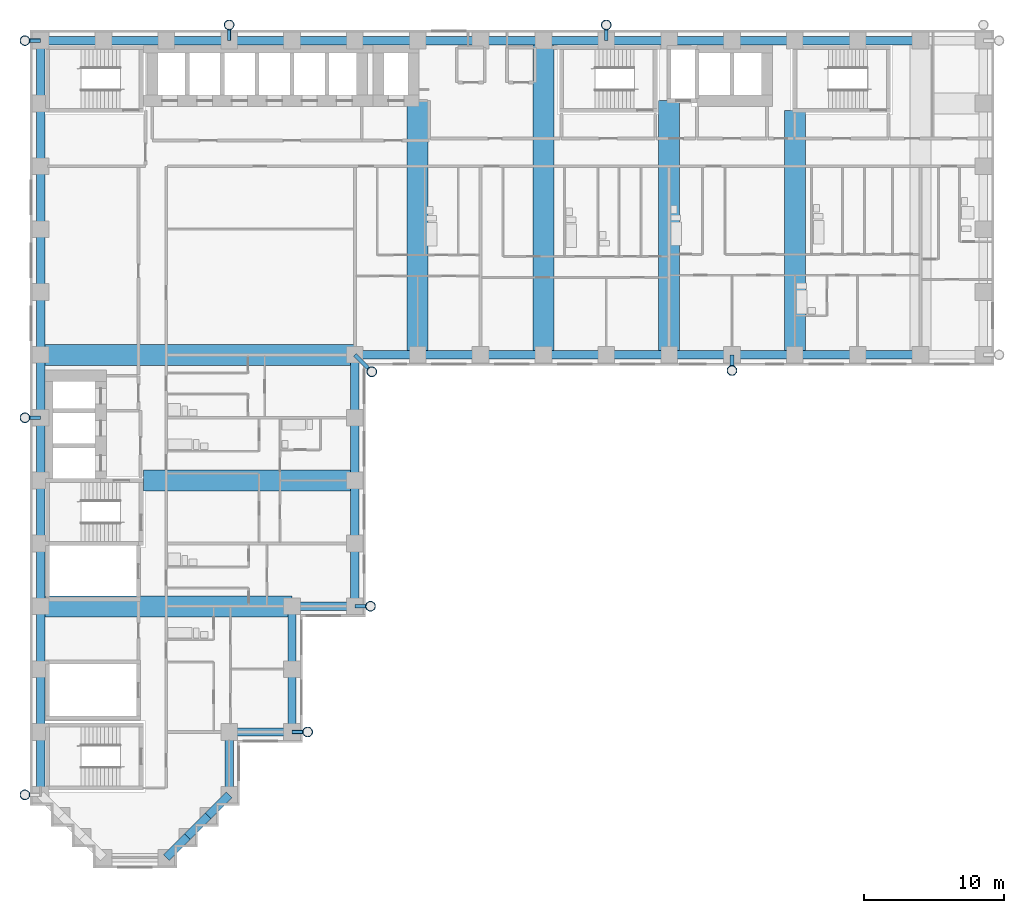
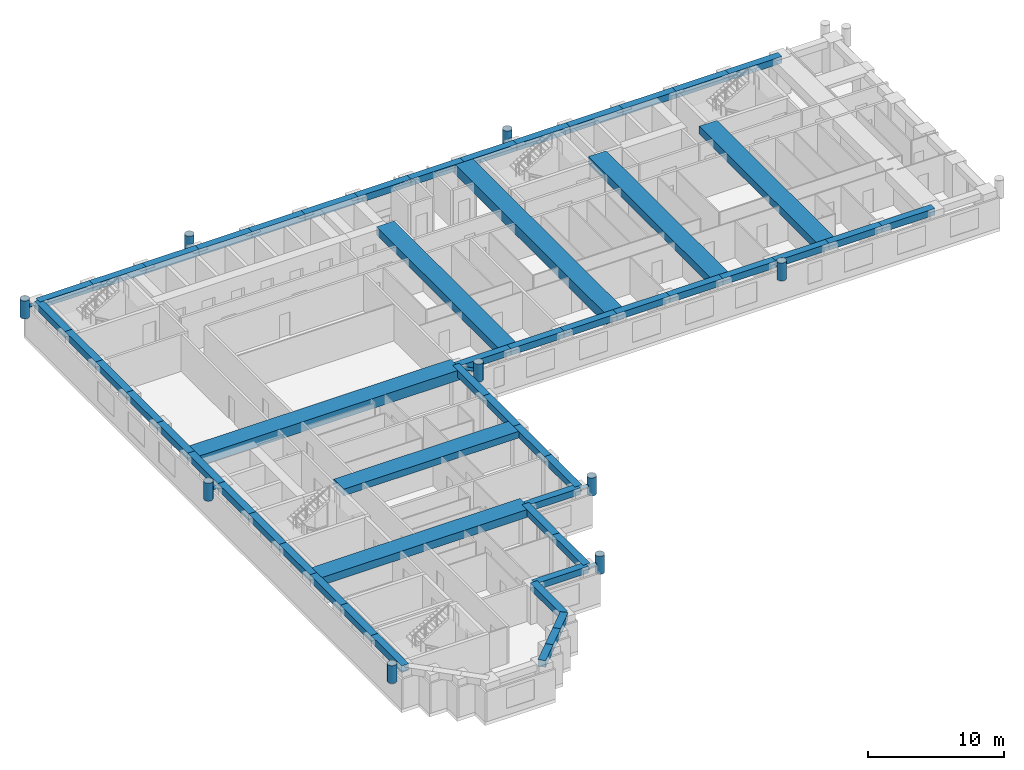
# One storey, part 2 of 14: 54 beams, 17 members.
"""IFC4 building model written with IfcOpenShell, lengths in metres."""

import ifcopenshell
import ifcopenshell.guid

model = None  # the IFC model being written
_history = None  # IfcOwnerHistory: only IFC2X3 demands one
_inside = {}  # id of a spatial element -> (the spatial element, [elements in it])
_under = {}  # id of a project, library or spatial element -> (it, [spatial elements below it])
_declared = {}  # id of a project -> (the project, [libraries it declares])
_typed = {}  # id of a type object -> (the type object, [elements of that type])
_made_of = {}  # id of a material, layer set ... -> (it, [elements and type objects made of it])


def new_model(schema):
    """Start an empty IFC model of exactly this schema.

    Asked for "IFC4X3", IfcOpenShell would pick the latest addendum, in which some entities
    have other attributes; the version numbers below select the first issue.
    IFC2X3 requires an IfcOwnerHistory on every rooted entity: one is made here for all.
    """
    global model, _history
    if schema == "IFC4X3":
        model = ifcopenshell.file(schema_version=(4, 3, 0, 0))
    else:
        model = ifcopenshell.file(schema=schema)
    _inside.clear()
    _under.clear()
    _declared.clear()
    _typed.clear()
    _made_of.clear()
    _history = None
    if model.schema == "IFC2X3":
        org = make("IfcOrganization", Name="unknown")
        user = make(
            "IfcPersonAndOrganization",
            ThePerson=make("IfcPerson", FamilyName="unknown"),
            TheOrganization=org,
        )
        app = make(
            "IfcApplication",
            ApplicationDeveloper=org,
            Version="unknown",
            ApplicationFullName="unknown",
            ApplicationIdentifier="unknown",
        )
        _history = make(
            "IfcOwnerHistory",
            OwningUser=user,
            OwningApplication=app,
            ChangeAction="ADDED",
            CreationDate=0,
        )
    return model


def make(cls, **values):
    """One entity of the class cls with the attributes given. An attribute that is None is left unset."""
    return model.create_entity(
        cls, **{name: value for name, value in values.items() if value is not None}
    )


def rooted(cls, **values):
    """An entity with a GlobalId (a new one), such as an element, a storey or a relation."""
    return make(cls, GlobalId=ifcopenshell.guid.new(), OwnerHistory=_history, **values)


def si_unit(unit_type, name, prefix=None):
    """IfcSIUnit, for example si_unit("LENGTHUNIT", "METRE", prefix="MILLI")."""
    return make("IfcSIUnit", UnitType=unit_type, Prefix=prefix, Name=name)


def assignment(units):
    """IfcUnitAssignment: the units of a project."""
    return None if units is None else make("IfcUnitAssignment", Units=units)


def point(xyz):
    """IfcCartesianPoint."""
    return None if xyz is None else make("IfcCartesianPoint", Coordinates=xyz)


def direction(xyz):
    """IfcDirection."""
    return None if xyz is None else make("IfcDirection", DirectionRatios=xyz)


def frame(location, z_axis=None, x_axis=None):
    """IfcAxis2Placement3D, a coordinate frame: its origin and axes. An axis left out is left unset."""
    return make(
        "IfcAxis2Placement3D",
        Location=point(location),
        Axis=direction(z_axis),
        RefDirection=direction(x_axis),
    )


def frame_2d(location, x_axis=None):
    """IfcAxis2Placement2D, a coordinate frame in the plane: its origin and x axis."""
    return make(
        "IfcAxis2Placement2D", Location=point(location), RefDirection=direction(x_axis)
    )


def origin():
    """The frame at (0, 0, 0) with its axes left unset."""
    return frame((0.0, 0.0, 0.0))


def origin_2d():
    """The frame at (0, 0) in the plane with its x axis left unset."""
    return frame_2d((0.0, 0.0))


def place(relative_to, where):
    """IfcLocalPlacement: puts the frame where relative to a parent placement (None: the world)."""
    return make(
        "IfcLocalPlacement", PlacementRelTo=relative_to, RelativePlacement=where
    )


def context(
    kind, dimensions, precision=None, world=None, true_north=None, identifier=None
):
    """IfcGeometricRepresentationContext, for example the 3D "Model" context."""
    return make(
        "IfcGeometricRepresentationContext",
        ContextIdentifier=identifier,
        ContextType=kind,
        CoordinateSpaceDimension=dimensions,
        Precision=precision,
        WorldCoordinateSystem=world,
        TrueNorth=true_north,
    )


def subcontext(parent, identifier, kind, view, scale=None):
    """IfcGeometricRepresentationSubContext, for example "Body" below "Model"."""
    return make(
        "IfcGeometricRepresentationSubContext",
        ContextIdentifier=identifier,
        ContextType=kind,
        ParentContext=parent,
        TargetScale=scale,
        TargetView=view,
    )


def project(units=None, contexts=None):
    """IfcProject with its units and contexts."""
    return rooted(
        "IfcProject",
        Name="project",
        RepresentationContexts=contexts,
        UnitsInContext=assignment(units),
    )


def spatial(cls, under=None, at=None, **own):
    """A site, building, storey or space (cls), placed at a placement, below another one or the project."""
    s = rooted(cls, ObjectPlacement=at, **own)
    if under is not None:
        _under.setdefault(under.id(), (under, []))[1].append(s)
    return s


def profile(cls, at=None, kind="AREA", **sizes):
    """A parametric profile (cls). Its sizes go by their IFC names, for example OverallWidth=200.0."""
    return make(cls, ProfileType=kind, Position=at, **sizes)


def rectangle(**sizes):
    """IfcRectangleProfileDef."""
    return profile("IfcRectangleProfileDef", **sizes)


def hollow_circle(**sizes):
    """IfcCircleHollowProfileDef."""
    return profile("IfcCircleHollowProfileDef", **sizes)


def extrude(swept, where, along, depth):
    """IfcExtrudedAreaSolid: the profile swept, set in the frame where, extruded along a direction by depth."""
    return make(
        "IfcExtrudedAreaSolid",
        SweptArea=swept,
        Position=where,
        ExtrudedDirection=direction(along),
        Depth=depth,
    )


def shape(context_of_items, identifier, shape_type, items):
    """IfcShapeRepresentation: the items that make up one representation, for example the "Body"."""
    return make(
        "IfcShapeRepresentation",
        ContextOfItems=context_of_items,
        RepresentationIdentifier=identifier,
        RepresentationType=shape_type,
        Items=items,
    )


def material(Name=None, Category=None):
    """IfcMaterial."""
    return make("IfcMaterial", Name=Name, Category=Category)


def material_profile(
    of_material, cross_section, Name=None, Category=None, Priority=None
):
    """IfcMaterialProfile: a cross section and its material."""
    return make(
        "IfcMaterialProfile",
        Name=Name,
        Material=of_material,
        Profile=cross_section,
        Priority=Priority,
        Category=Category,
    )


def profile_set(profiles, Name=None, composite=None):
    """IfcMaterialProfileSet."""
    return make(
        "IfcMaterialProfileSet",
        Name=Name,
        MaterialProfiles=profiles,
        CompositeProfile=composite,
    )


def made_of(thing, what):
    """Note that an element or type object is made of a material, layer set ...; save() writes the relation."""
    if what is not None:
        _made_of.setdefault(what.id(), (what, []))[1].append(thing)
    return thing


def type_object(cls, material=None, **own):
    """A type object (cls), such as IfcWallType, which elements share."""
    return made_of(rooted(cls, **own), material)


def element(
    cls,
    number,
    at=None,
    inside=None,
    cuts=None,
    type_object=None,
    material=None,
    context=None,
    identifier="Body",
    shape_type=None,
    held_by="IfcProductDefinitionShape",
    body=None,
    shapes=None,
    **own,
):
    """One element of the class cls, such as IfcWall. Its Tag is "e" and its number.

    at: its placement. inside: the storey or other place that contains it. cuts: it is an
    opening in that element (IfcRelVoidsElement). A single representation is given by context,
    identifier, shape_type and body (its items); several are given by shapes. held_by: the class
    of the entity that holds the representations. save() writes the other relations.
    """
    e = rooted(cls, Tag="e%d" % number, ObjectPlacement=at, **own)
    if body is not None:
        shapes = [shape(context, identifier, shape_type, body)]
    if shapes is not None:
        e.Representation = make(held_by, Representations=shapes)
    if inside is not None:
        _inside.setdefault(inside.id(), (inside, []))[1].append(e)
    if cuts is not None:
        rooted(
            "IfcRelVoidsElement", RelatingBuildingElement=cuts, RelatedOpeningElement=e
        )
    if type_object is not None:
        _typed.setdefault(type_object.id(), (type_object, []))[1].append(e)
    return made_of(e, material)


def aggregate(whole, parts):
    """IfcRelAggregates: a whole, such as a stair, and the parts it consists of."""
    return rooted("IfcRelAggregates", RelatingObject=whole, RelatedObjects=parts)


def save(model, path):
    """Write the relations noted so far, then the file.

    IfcRelAggregates (storeys below a building ...), IfcRelContainedInSpatialStructure (elements
    in a storey), IfcRelDefinesByType, IfcRelAssociatesMaterial and IfcRelDeclares: one each for
    every whole, place, type object, material and project.
    """
    for whole, parts in _under.values():
        aggregate(whole, parts)
    for where, things in _inside.values():
        rooted(
            "IfcRelContainedInSpatialStructure",
            RelatedElements=things,
            RelatingStructure=where,
        )
    for kind, things in _typed.values():
        rooted("IfcRelDefinesByType", RelatedObjects=things, RelatingType=kind)
    for what, things in _made_of.values():
        rooted("IfcRelAssociatesMaterial", RelatedObjects=things, RelatingMaterial=what)
    for by, libraries in _declared.values():
        rooted("IfcRelDeclares", RelatingContext=by, RelatedDefinitions=libraries)
    model.write(path)


model = new_model("IFC4")

# Units and contexts
model_context = context("Model", 3, precision=1e-05, world=origin(), true_north=direction((0.0, 1.0)))
body_context = subcontext(model_context, "Body", "Model", "MODEL_VIEW")
ifc_project = project(units=[si_unit("LENGTHUNIT", "METRE"), si_unit("AREAUNIT", "SQUARE_METRE"), si_unit("VOLUMEUNIT", "CUBIC_METRE"), si_unit("PLANEANGLEUNIT", "RADIAN"), si_unit("MASSUNIT", "GRAM", prefix="KILO")], contexts=[model_context])

# Site, building, storey
site_placement = place(None, origin())
site = spatial("IfcSite", under=ifc_project, at=site_placement, CompositionType="ELEMENT")
building_placement = place(site_placement, origin())
building = spatial("IfcBuilding", under=site, at=building_placement, Name="Firuza Court", CompositionType="ELEMENT")
storey_placement = place(building_placement, frame((0.0, 0.0, 90.199951171875)))
storey = spatial("IfcBuildingStorey", under=building, at=storey_placement, Name="L22", CompositionType="ELEMENT", Elevation=90.199951171875)

# Beams
ifc_material_1 = material(Name="Concrete C40/50", Category="concrete")
ifc_material_profile_1 = material_profile(ifc_material_1, rectangle(XDim=1.5, YDim=0.60009765625, at=origin_2d()), Name="RC 1500x600")
ifc_profile_set_1 = profile_set([ifc_material_profile_1], Name="Concrete C40/50")
beam_type_1 = type_object("IfcBeamType", Name="Band beam RC 1500x600 C40/50", PredefinedType="BEAM", material=ifc_profile_set_1)
beam_1_placement = place(storey_placement, frame((22.5, 27.0, 3.0), z_axis=(-1.0, 0.0, 0.0), x_axis=(0.0, -1.0, 0.0)))
element("IfcBeam", 1, at=beam_1_placement, inside=storey, type_object=beam_type_1, Name="Band beam FB3 level L23", PredefinedType="BEAM", context=body_context, shape_type="SweptSolid", body=[
    extrude(rectangle(XDim=1.5, YDim=0.60009765625, at=origin_2d()), origin(), (0.0, 0.0, 1.0), 15.14990234375),
])
ifc_material_2 = material(Name="Concrete C40/50", Category="concrete")
ifc_material_profile_2 = material_profile(ifc_material_2, rectangle(XDim=1.5, YDim=0.699951171875, at=origin_2d()), Name="RC 1500x700")
ifc_profile_set_2 = profile_set([ifc_material_profile_2], Name="Concrete C40/50")
beam_type_2 = type_object("IfcBeamType", Name="Band beam RC 1500x700 C40/50", PredefinedType="BEAM", material=ifc_profile_set_2)
beam_2_placement = place(storey_placement, frame((0.0, 18.0, 2.949951171875), z_axis=(1.0, 0.0, 0.0), x_axis=(0.0, 1.0, 0.0)))
element("IfcBeam", 2, at=beam_2_placement, inside=storey, type_object=beam_type_2, Name="Band beam FB1 level L23", PredefinedType="BEAM", context=body_context, shape_type="SweptSolid", body=[
    extrude(rectangle(XDim=1.5, YDim=0.699951171875, at=origin_2d()), origin(), (0.0, 0.0, 1.0), 18.0),
])
for number, where, z_axis, x_axis, name in (
    (3, (27.0, 36.0, 2.949951171875), (0.0, 1.0, 0.0), (-1.0, 0.0, 0.0), "Band beam FB1 level L23"),
    (4, (45.0, 36.0, 2.949951171875), (0.0, 1.0, 0.0), (-1.0, 0.0, 0.0), "Band beam FB1 level L23"),
):
    element("IfcBeam", number, at=place(storey_placement, frame(where, z_axis=z_axis, x_axis=x_axis)), inside=storey, type_object=beam_type_2, Name=name, PredefinedType="BEAM", context=body_context, shape_type="SweptSolid", body=[
        extrude(rectangle(XDim=1.5, YDim=0.699951171875, at=origin_2d()), origin(), (0.0, 0.0, 1.0), 18.199951171875),
    ])
beam_3_placement = place(storey_placement, frame((54.0, 36.0, 2.949951171875), z_axis=(0.0, 1.0, 0.0), x_axis=(-1.0, 0.0, 0.0)))
element("IfcBeam", 5, at=beam_3_placement, inside=storey, type_object=beam_type_2, Name="Band beam FB1 level L23", PredefinedType="BEAM", context=body_context, shape_type="SweptSolid", body=[
    extrude(rectangle(XDim=1.5, YDim=0.699951171875, at=origin_2d()), origin(), (0.0, 0.0, 1.0), 17.5),
])
ifc_material_3 = material(Name="Concrete C40/50", Category="concrete")
ifc_material_profile_3 = material_profile(ifc_material_3, rectangle(XDim=1.5, YDim=0.89990234375, at=origin_2d()), Name="RC 1500x900")
ifc_profile_set_3 = profile_set([ifc_material_profile_3], Name="Concrete C40/50")
beam_type_3 = type_object("IfcBeamType", Name="Band beam RC 1500x900 C40/50", PredefinedType="BEAM", material=ifc_profile_set_3)
for number, where, z_axis, x_axis, name in (
    (6, (0.0, 36.0, 2.85009765625), (1.0, 0.0, 0.0), (0.0, 1.0, 0.0), "Band beam FB2 level L23"),
    (7, (36.0, 36.0, 2.85009765625), (0.0, 1.0, 0.0), (-1.0, 0.0, 0.0), "Band beam FB2 level L23"),
):
    element("IfcBeam", number, at=place(storey_placement, frame(where, z_axis=z_axis, x_axis=x_axis)), inside=storey, type_object=beam_type_3, Name=name, PredefinedType="BEAM", context=body_context, shape_type="SweptSolid", body=[
        extrude(rectangle(XDim=1.5, YDim=0.89990234375, at=origin_2d()), origin(), (0.0, 0.0, 1.0), 22.5),
    ])

# Members
ifc_material_4 = material(Name="Steel S355", Category="steel")
ifc_material_profile_4 = material_profile(ifc_material_4, hollow_circle(Radius=0.35546875, WallThickness=0.030029296875, at=origin_2d()), Name="CHS 711x30")
ifc_profile_set_4 = profile_set([ifc_material_profile_4], Name="Steel S355")
member_type_1 = type_object("IfcMemberType", Name="Diagrid node CHS 711x30 S355", PredefinedType="USERDEFINED", material=ifc_profile_set_4)
for number, where, z_axis, x_axis, name in (
    (8, (-1.1201171875, 4.5, 2.25), (0.0, 0.0, 1.0), (1.0, 0.0, 0.0), "Diagrid node level L22"),
    (9, (-1.1201171875, 31.5, 2.25), (0.0, 0.0, 1.0), (1.0, 0.0, 0.0), "Diagrid node level L22"),
    (10, (-1.1201171875, 58.5, 2.25), (0.0, 0.0, 1.0), (1.0, 0.0, 0.0), "Diagrid node level L22"),
    (11, (13.5, 59.6201171875, 2.25), (0.0, 0.0, 1.0), (1.0, 0.0, 0.0), "Diagrid node level L22"),
    (12, (19.1201171875, 9.0, 2.25), (0.0, 0.0, 1.0), (1.0, 0.0, 0.0), "Diagrid node level L22"),
    (13, (23.6201171875, 18.0, 2.25), (0.0, 0.0, 1.0), (1.0, 0.0, 0.0), "Diagrid node level L22"),
    (14, (23.7099609375, 34.7900390625, 2.25), (0.0, 0.0, 1.0), (1.0, 0.0, 0.0), "Diagrid node level L22"),
    (15, (40.5, 59.6201171875, 2.25), (0.0, 0.0, 1.0), (1.0, 0.0, 0.0), "Diagrid node level L22"),
    (16, (49.5, 34.8798828125, 2.25), (0.0, 0.0, 1.0), (1.0, 0.0, 0.0), "Diagrid node level L22"),
):
    element("IfcMember", number, at=place(storey_placement, frame(where, z_axis=z_axis, x_axis=x_axis)), inside=storey, type_object=member_type_1, Name=name, ObjectType="DIAGRID NODE", PredefinedType="USERDEFINED", context=body_context, shape_type="SweptSolid", body=[
        extrude(hollow_circle(Radius=0.35546875, WallThickness=0.030029296875, at=origin_2d()), origin(), (0.0, 0.0, 1.0), 1.60009765625),
    ])
ifc_material_5 = material(Name="Steel S355", Category="steel")
ifc_material_profile_5 = material_profile(ifc_material_5, hollow_circle(Radius=0.136474609375, WallThickness=0.012451171875, at=origin_2d()), Name="CHS 273x12.5")
ifc_profile_set_5 = profile_set([ifc_material_profile_5], Name="Steel S355")
member_type_2 = type_object("IfcMemberType", Name="Diagrid tie CHS 273x12.5 S355", PredefinedType="STRUT", material=ifc_profile_set_5)
for number, where, z_axis, x_axis, name in (
    (17, (0.0, 31.5, 3.050048828125), (-1.0, 0.0, 0.0), (0.0, -1.0, 0.0), "Diagrid tie level L23"),
    (18, (0.0, 58.5, 3.050048828125), (-1.0, 0.0, 0.0), (0.0, -1.0, 0.0), "Diagrid tie level L23"),
    (19, (13.5, 58.5, 3.050048828125), (0.0, 1.0, 0.0), (-1.0, 0.0, 0.0), "Diagrid tie level L23"),
    (20, (18.0, 9.0, 3.050048828125), (1.0, 0.0, 0.0), (0.0, 1.0, 0.0), "Diagrid tie level L23"),
    (21, (22.5, 18.0, 3.050048828125), (1.0, 0.0, 0.0), (0.0, 1.0, 0.0), "Diagrid tie level L23"),
):
    element("IfcMember", number, at=place(storey_placement, frame(where, z_axis=z_axis, x_axis=x_axis)), inside=storey, type_object=member_type_2, Name=name, PredefinedType="STRUT", context=body_context, shape_type="SweptSolid", body=[
        extrude(hollow_circle(Radius=0.136474609375, WallThickness=0.012451171875, at=origin_2d()), origin(), (0.0, 0.0, 1.0), 1.1201171875),
    ])
member_placement = place(storey_placement, frame((22.5, 36.0, 3.050048828125), z_axis=(0.707106781187, -0.707106781187, 0.0), x_axis=(0.707106781187, 0.707106781187, 0.0)))
element("IfcMember", 22, at=member_placement, inside=storey, type_object=member_type_2, Name="Diagrid tie level L23", PredefinedType="STRUT", context=body_context, shape_type="SweptSolid", body=[
    extrude(hollow_circle(Radius=0.136474609375, WallThickness=0.012451171875, at=origin_2d()), origin(), (0.0, 0.0, 1.0), 1.711181640625),
])
for number, where, z_axis, x_axis, name in (
    (23, (40.5, 58.5, 3.050048828125), (0.0, 1.0, 0.0), (-1.0, 0.0, 0.0), "Diagrid tie level L23"),
    (24, (49.5, 36.0, 3.050048828125), (0.0, -1.0, 0.0), (1.0, 0.0, 0.0), "Diagrid tie level L23"),
):
    element("IfcMember", number, at=place(storey_placement, frame(where, z_axis=z_axis, x_axis=x_axis)), inside=storey, type_object=member_type_2, Name=name, PredefinedType="STRUT", context=body_context, shape_type="SweptSolid", body=[
        extrude(hollow_circle(Radius=0.136474609375, WallThickness=0.012451171875, at=origin_2d()), origin(), (0.0, 0.0, 1.0), 1.1201171875),
    ])

# Beams
ifc_material_6 = material(Name="Concrete C40/50", Category="concrete")
ifc_material_profile_6 = material_profile(ifc_material_6, rectangle(XDim=0.60009765625, YDim=0.60009765625, at=origin_2d()), Name="RC 600x600")
ifc_profile_set_6 = profile_set([ifc_material_profile_6], Name="Concrete C40/50")
beam_type_4 = type_object("IfcBeamType", Name="Spandrel beam RC 600x600 C40/50", PredefinedType="BEAM", material=ifc_profile_set_6)
for number, where, z_axis, x_axis, name in (
    (25, (0.0, 9.0, 3.0), (0.0, -1.0, 0.0), (1.0, 0.0, 0.0), "Spandrel beam SP11 level L23"),
    (26, (0.0, 13.5, 3.0), (0.0, -1.0, 0.0), (1.0, 0.0, 0.0), "Spandrel beam SP11 level L23"),
    (27, (0.0, 18.0, 3.0), (0.0, -1.0, 0.0), (1.0, 0.0, 0.0), "Spandrel beam SP11 level L23"),
    (28, (0.0, 22.5, 3.0), (0.0, -1.0, 0.0), (1.0, 0.0, 0.0), "Spandrel beam SP11 level L23"),
    (29, (0.0, 27.0, 3.0), (0.0, -1.0, 0.0), (1.0, 0.0, 0.0), "Spandrel beam SP11 level L23"),
    (30, (0.0, 31.5, 3.0), (0.0, -1.0, 0.0), (1.0, 0.0, 0.0), "Spandrel beam SP11 level L23"),
    (31, (0.0, 36.0, 3.0), (0.0, -1.0, 0.0), (1.0, 0.0, 0.0), "Spandrel beam SP11 level L23"),
    (32, (0.0, 40.5, 3.0), (0.0, -1.0, 0.0), (1.0, 0.0, 0.0), "Spandrel beam SP11 level L23"),
    (33, (0.0, 45.0, 3.0), (0.0, -1.0, 0.0), (1.0, 0.0, 0.0), "Spandrel beam SP11 level L23"),
    (34, (0.0, 49.5, 3.0), (0.0, -1.0, 0.0), (1.0, 0.0, 0.0), "Spandrel beam SP11 level L23"),
    (35, (0.0, 54.0, 3.0), (0.0, -1.0, 0.0), (1.0, 0.0, 0.0), "Spandrel beam SP11 level L23"),
    (36, (0.0, 58.5, 3.0), (0.0, -1.0, 0.0), (1.0, 0.0, 0.0), "Spandrel beam SP11 level L23"),
    (37, (4.5, 58.5, 3.0), (-1.0, 0.0, 0.0), (0.0, -1.0, 0.0), "Spandrel beam SP11 level L23"),
):
    element("IfcBeam", number, at=place(storey_placement, frame(where, z_axis=z_axis, x_axis=x_axis)), inside=storey, type_object=beam_type_4, Name=name, PredefinedType="BEAM", context=body_context, shape_type="SweptSolid", body=[
        extrude(rectangle(XDim=0.60009765625, YDim=0.60009765625, at=origin_2d()), origin(), (0.0, 0.0, 1.0), 4.5),
    ])
beam_4_placement = place(storey_placement, frame((9.0, 0.0, 3.0), z_axis=(0.707106781187, 0.707106781187, 0.0), x_axis=(-0.707106781187, 0.707106781187, 0.0)))
element("IfcBeam", 38, at=beam_4_placement, inside=storey, type_object=beam_type_4, Name="Spandrel beam SP11 level L23", PredefinedType="BEAM", context=body_context, shape_type="SweptSolid", body=[
    extrude(rectangle(XDim=0.60009765625, YDim=0.60009765625, at=origin_2d()), origin(), (0.0, 0.0, 1.0), 2.121337890625),
])
beam_5_placement = place(storey_placement, frame((9.0, 58.5, 3.0), z_axis=(-1.0, 0.0, 0.0), x_axis=(0.0, -1.0, 0.0)))
element("IfcBeam", 39, at=beam_5_placement, inside=storey, type_object=beam_type_4, Name="Spandrel beam SP11 level L23", PredefinedType="BEAM", context=body_context, shape_type="SweptSolid", body=[
    extrude(rectangle(XDim=0.60009765625, YDim=0.60009765625, at=origin_2d()), origin(), (0.0, 0.0, 1.0), 4.5),
])
for number, where, z_axis, x_axis, name in (
    (40, (10.5, 1.5, 3.0), (0.707106781187, 0.707106781187, 0.0), (-0.707106781187, 0.707106781187, 0.0), "Spandrel beam SP11 level L23"),
    (41, (12.0, 3.0, 3.0), (0.707106781187, 0.707106781187, 0.0), (-0.707106781187, 0.707106781187, 0.0), "Spandrel beam SP11 level L23"),
):
    element("IfcBeam", number, at=place(storey_placement, frame(where, z_axis=z_axis, x_axis=x_axis)), inside=storey, type_object=beam_type_4, Name=name, PredefinedType="BEAM", context=body_context, shape_type="SweptSolid", body=[
        extrude(rectangle(XDim=0.60009765625, YDim=0.60009765625, at=origin_2d()), origin(), (0.0, 0.0, 1.0), 2.121337890625),
    ])
for number, where, z_axis, x_axis, name in (
    (42, (13.5, 4.5, 3.0), (0.0, 1.0, 0.0), (-1.0, 0.0, 0.0), "Spandrel beam SP11 level L23"),
    (43, (13.5, 9.0, 3.0), (1.0, 0.0, 0.0), (0.0, 1.0, 0.0), "Spandrel beam SP11 level L23"),
    (44, (13.5, 58.5, 3.0), (-1.0, 0.0, 0.0), (0.0, -1.0, 0.0), "Spandrel beam SP11 level L23"),
    (45, (18.0, 9.0, 3.0), (0.0, 1.0, 0.0), (-1.0, 0.0, 0.0), "Spandrel beam SP11 level L23"),
    (46, (18.0, 13.5, 3.0), (0.0, 1.0, 0.0), (-1.0, 0.0, 0.0), "Spandrel beam SP11 level L23"),
    (47, (18.0, 18.0, 3.0), (1.0, 0.0, 0.0), (0.0, 1.0, 0.0), "Spandrel beam SP11 level L23"),
    (48, (18.0, 58.5, 3.0), (-1.0, 0.0, 0.0), (0.0, -1.0, 0.0), "Spandrel beam SP11 level L23"),
    (49, (22.5, 18.0, 3.0), (0.0, 1.0, 0.0), (-1.0, 0.0, 0.0), "Spandrel beam SP11 level L23"),
    (50, (22.5, 22.5, 3.0), (0.0, 1.0, 0.0), (-1.0, 0.0, 0.0), "Spandrel beam SP11 level L23"),
    (51, (22.5, 27.0, 3.0), (0.0, 1.0, 0.0), (-1.0, 0.0, 0.0), "Spandrel beam SP11 level L23"),
    (52, (22.5, 31.5, 3.0), (0.0, 1.0, 0.0), (-1.0, 0.0, 0.0), "Spandrel beam SP11 level L23"),
    (53, (22.5, 36.0, 3.0), (1.0, 0.0, 0.0), (0.0, 1.0, 0.0), "Spandrel beam SP11 level L23"),
    (54, (22.5, 58.5, 3.0), (-1.0, 0.0, 0.0), (0.0, -1.0, 0.0), "Spandrel beam SP11 level L23"),
    (55, (27.0, 36.0, 3.0), (1.0, 0.0, 0.0), (0.0, 1.0, 0.0), "Spandrel beam SP11 level L23"),
    (56, (27.0, 58.5, 3.0), (-1.0, 0.0, 0.0), (0.0, -1.0, 0.0), "Spandrel beam SP11 level L23"),
    (57, (31.5, 36.0, 3.0), (1.0, 0.0, 0.0), (0.0, 1.0, 0.0), "Spandrel beam SP11 level L23"),
    (58, (31.5, 58.5, 3.0), (-1.0, 0.0, 0.0), (0.0, -1.0, 0.0), "Spandrel beam SP11 level L23"),
    (59, (36.0, 36.0, 3.0), (1.0, 0.0, 0.0), (0.0, 1.0, 0.0), "Spandrel beam SP11 level L23"),
    (60, (36.0, 58.5, 3.0), (-1.0, 0.0, 0.0), (0.0, -1.0, 0.0), "Spandrel beam SP11 level L23"),
    (61, (40.5, 36.0, 3.0), (1.0, 0.0, 0.0), (0.0, 1.0, 0.0), "Spandrel beam SP11 level L23"),
    (62, (40.5, 58.5, 3.0), (-1.0, 0.0, 0.0), (0.0, -1.0, 0.0), "Spandrel beam SP11 level L23"),
    (63, (45.0, 36.0, 3.0), (1.0, 0.0, 0.0), (0.0, 1.0, 0.0), "Spandrel beam SP11 level L23"),
    (64, (45.0, 58.5, 3.0), (-1.0, 0.0, 0.0), (0.0, -1.0, 0.0), "Spandrel beam SP11 level L23"),
    (65, (49.5, 36.0, 3.0), (1.0, 0.0, 0.0), (0.0, 1.0, 0.0), "Spandrel beam SP11 level L23"),
    (66, (49.5, 58.5, 3.0), (-1.0, 0.0, 0.0), (0.0, -1.0, 0.0), "Spandrel beam SP11 level L23"),
    (67, (54.0, 36.0, 3.0), (1.0, 0.0, 0.0), (0.0, 1.0, 0.0), "Spandrel beam SP11 level L23"),
    (68, (54.0, 58.5, 3.0), (-1.0, 0.0, 0.0), (0.0, -1.0, 0.0), "Spandrel beam SP11 level L23"),
    (69, (58.5, 36.0, 3.0), (1.0, 0.0, 0.0), (0.0, 1.0, 0.0), "Spandrel beam SP11 level L23"),
    (70, (58.5, 58.5, 3.0), (-1.0, 0.0, 0.0), (0.0, -1.0, 0.0), "Spandrel beam SP11 level L23"),
    (71, (63.0, 58.5, 3.0), (-1.0, 0.0, 0.0), (0.0, -1.0, 0.0), "Spandrel beam SP11 level L23"),
):
    element("IfcBeam", number, at=place(storey_placement, frame(where, z_axis=z_axis, x_axis=x_axis)), inside=storey, type_object=beam_type_4, Name=name, PredefinedType="BEAM", context=body_context, shape_type="SweptSolid", body=[
        extrude(rectangle(XDim=0.60009765625, YDim=0.60009765625, at=origin_2d()), origin(), (0.0, 0.0, 1.0), 4.5),
    ])

save(model, "model.ifc")
